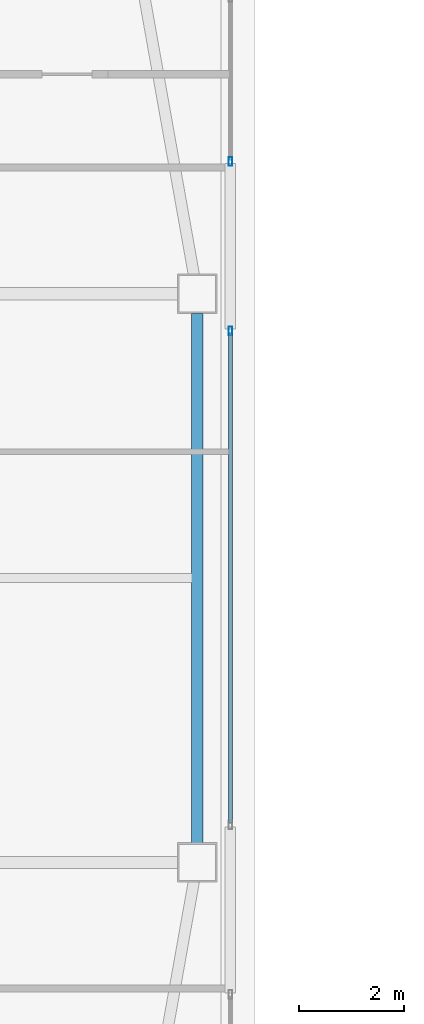
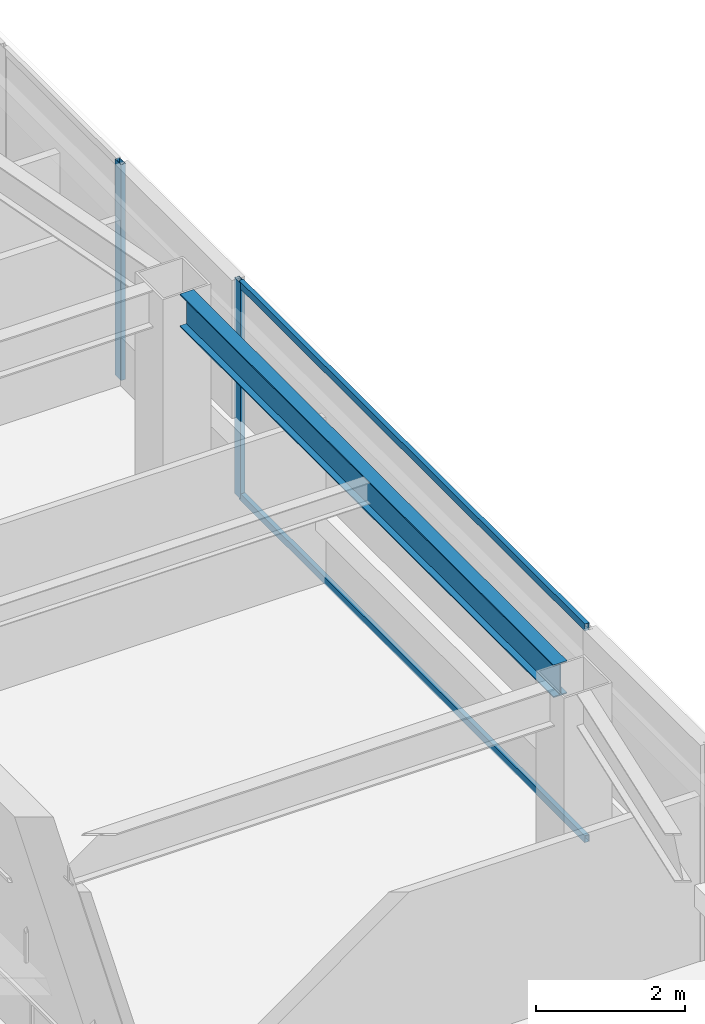
# One storey, part 10 of 39: 4 members, 1 beam, 2 elements without a shape of their own.
"""IFC4 building model written with IfcOpenShell, lengths in metres."""

from ifc_helpers import new_model, si_unit, direction, frame, origin, origin_2d, place, context, subcontext, project, spatial, hollow_rectangle, i_section, extrude, material, material_profile, profile_set, type_object, element, aggregate, save


model = new_model("IFC4")

# Units and contexts
model_context = context("Model", 3, precision=1e-05, world=origin(), true_north=direction((0.0, 1.0)))
body_context = subcontext(model_context, "Body", "Model", "MODEL_VIEW")
ifc_project = project(units=[si_unit("LENGTHUNIT", "METRE"), si_unit("AREAUNIT", "SQUARE_METRE"), si_unit("VOLUMEUNIT", "CUBIC_METRE"), si_unit("PLANEANGLEUNIT", "RADIAN"), si_unit("MASSUNIT", "GRAM", prefix="KILO")], contexts=[model_context])

# Site, building, storey
site_placement = place(None, origin())
site = spatial("IfcSite", under=ifc_project, at=site_placement, CompositionType="ELEMENT")
building_placement = place(site_placement, origin())
building = spatial("IfcBuilding", under=site, at=building_placement, Name="Tashvorn Skyway Center", CompositionType="ELEMENT")
storey_placement = place(building_placement, frame((0.0, 0.0, 214.85009765625)))
storey = spatial("IfcBuildingStorey", under=building, at=storey_placement, Name="L58", CompositionType="ELEMENT", Elevation=214.85009765625)

# Beam
ifc_material_1 = material(Name="Steel ASTM A992 Grade 50", Category="steel")
ifc_material_profile_1 = material_profile(ifc_material_1, i_section(OverallWidth=0.2109375, OverallDepth=0.5390625, WebThickness=0.01171875, FlangeThickness=0.018798828125, at=origin_2d()), Name="W21X73")
ifc_profile_set_1 = profile_set([ifc_material_profile_1], Name="Steel ASTM A992 Grade 50")
beam_type = type_object("IfcBeamType", Name="BM-SPANDREL-W21X73", PredefinedType="SPANDREL", material=ifc_profile_set_1)
beam_placement = place(storey_placement, frame((57.64990234375, 26.969970703125, 3.100341796875), z_axis=(0.0, 1.0, 0.0), x_axis=(-1.0, 0.0, 0.0)))
element("IfcBeam", 1, at=beam_placement, inside=storey, type_object=beam_type, Name="Tower 1 L58 Spandrel Beam 05", PredefinedType="SPANDREL", context=body_context, shape_type="SweptSolid", body=[
    extrude(i_section(OverallWidth=0.2109375, OverallDepth=0.5390625, WebThickness=0.01171875, FlangeThickness=0.018798828125, at=origin_2d()), origin(), (0.0, 0.0, 1.0), 10.06005859375),
])

# Curtain wall, member
ifc_material_2 = material(Name="Thermally broken bronze-anodized aluminium 6063-T6", Category="aluminium")
curtain_wall_type = type_object("IfcCurtainWallType", Name="CW-CW-Z5", PredefinedType="NOTDEFINED", material=ifc_material_2)
curtain_wall_1_placement = place(storey_placement, origin())
curtain_wall_1 = element("IfcCurtainWall", 2, at=curtain_wall_1_placement, inside=storey, type_object=curtain_wall_type, Name="Tower 1 L58 East Unitised Curtain Wall Glazing Group 1", PredefinedType="NOTDEFINED")
ifc_material_profile_2 = material_profile(ifc_material_2, hollow_rectangle(XDim=0.070068359375, YDim=0.1650390625, WallThickness=0.00390625, at=origin_2d()), Name="ALU-MULL-70x165")
ifc_profile_set_2 = profile_set([ifc_material_profile_2], Name="Thermally broken bronze-anodized aluminium 6063-T6")
member_type_1 = type_object("IfcMemberType", Name="CWM-CW-Z5", PredefinedType="MULLION", material=ifc_profile_set_2)
member_1_placement = place(storey_placement, frame((58.280029296875, 39.912841796875, 0.0), z_axis=(0.0, 0.0, 1.0), x_axis=(1.0, 0.0, 0.0)))
member_1 = element("IfcMember", 3, at=member_1_placement, type_object=member_type_1, Name="CW-Z5 mullion 3", PredefinedType="MULLION", context=body_context, shape_type="SweptSolid", body=[
    extrude(hollow_rectangle(XDim=0.070068359375, YDim=0.1650390625, WallThickness=0.00390625, at=origin_2d()), origin(), (0.0, 0.0, 1.0), 3.5498046875),
])
aggregate(curtain_wall_1, [member_1])

# Curtain wall, members
curtain_wall_2_placement = place(storey_placement, origin())
curtain_wall_2 = element("IfcCurtainWall", 4, at=curtain_wall_2_placement, inside=storey, type_object=curtain_wall_type, Name="Tower 1 L58 East Unitised Curtain Wall Glazing Group 2", PredefinedType="NOTDEFINED")
member_2_placement = place(storey_placement, frame((58.280029296875, 36.691650390625, 0.0), z_axis=(0.0, 0.0, 1.0), x_axis=(1.0, 0.0, 0.0)))
member_2 = element("IfcMember", 5, at=member_2_placement, type_object=member_type_1, Name="CW-Z5 mullion 1", PredefinedType="MULLION", context=body_context, shape_type="SweptSolid", body=[
    extrude(hollow_rectangle(XDim=0.070068359375, YDim=0.1650390625, WallThickness=0.00390625, at=origin_2d()), origin(), (0.0, 0.0, 1.0), 3.5498046875),
])
ifc_material_profile_3 = material_profile(ifc_material_2, hollow_rectangle(XDim=0.070068359375, YDim=0.114990234375, WallThickness=0.00390625, at=origin_2d()), Name="ALU-TRAN-70x115")
ifc_profile_set_3 = profile_set([ifc_material_profile_3], Name="Thermally broken bronze-anodized aluminium 6063-T6")
member_type_2 = type_object("IfcMemberType", Name="CWT-CW-Z5", PredefinedType="USERDEFINED", material=ifc_profile_set_3)
member_3_placement = place(storey_placement, frame((58.280029296875, 36.65673828125, 0.034912109375), z_axis=(0.0, -1.0, 0.0), x_axis=(1.0, 0.0, 0.0)))
member_3 = element("IfcMember", 6, at=member_3_placement, type_object=member_type_2, Name="CW-Z5 transom 1.1", ObjectType="TRANSOM", PredefinedType="USERDEFINED", context=body_context, shape_type="SweptSolid", body=[
    extrude(hollow_rectangle(XDim=0.070068359375, YDim=0.114990234375, WallThickness=0.00390625, at=origin_2d()), origin(), (0.0, 0.0, 1.0), 9.3134765625),
])
member_4_placement = place(storey_placement, frame((58.280029296875, 36.65673828125, 3.514892578125), z_axis=(0.0, -1.0, 0.0), x_axis=(1.0, 0.0, 0.0)))
member_4 = element("IfcMember", 7, at=member_4_placement, type_object=member_type_2, Name="CW-Z5 transom 1.2", ObjectType="TRANSOM", PredefinedType="USERDEFINED", context=body_context, shape_type="SweptSolid", body=[
    extrude(hollow_rectangle(XDim=0.070068359375, YDim=0.114990234375, WallThickness=0.00390625, at=origin_2d()), origin(), (0.0, 0.0, 1.0), 9.3134765625),
])
aggregate(curtain_wall_2, [member_2, member_3, member_4])

save(model, "model.ifc")
